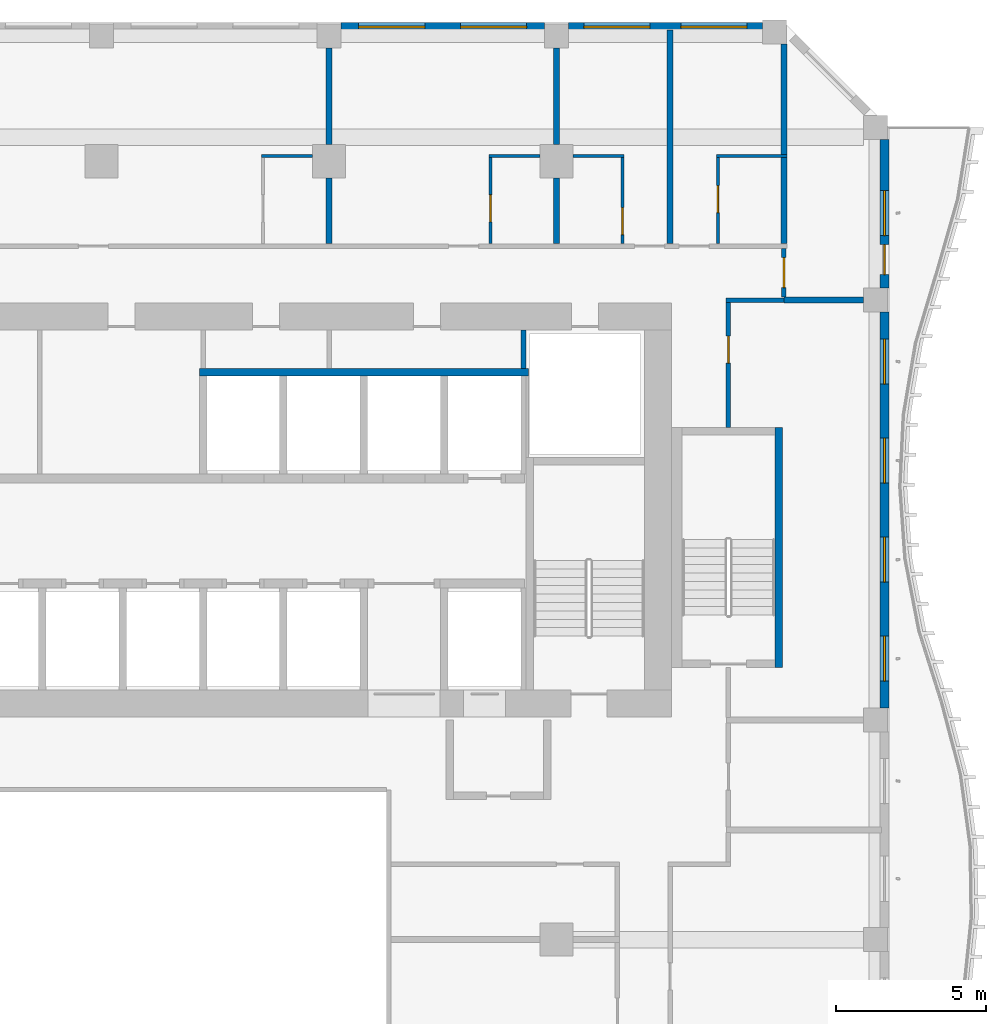
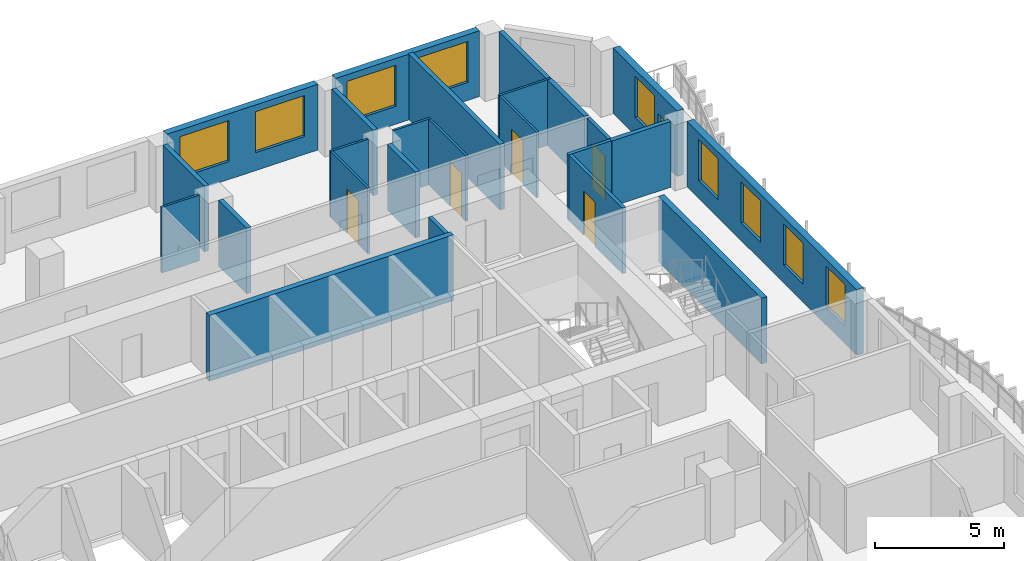
# One storey, part 9 of 20: 25 walls, 9 windows, 6 doors, 15 openings.
"""IFC4 building model written with IfcOpenShell, lengths in metres."""

from ifc_helpers import new_model, si_unit, direction, frame, frame_2d, origin, place, context, subcontext, project, spatial, rectangle, extrude, source, transform, mapped, material, layer, layer_set, type_object, element, fill, save


model = new_model("IFC4")

# Units and contexts
model_context = context("Model", 3, precision=1e-05, world=origin(), true_north=direction((0.0, 1.0)))
body_context = subcontext(model_context, "Body", "Model", "MODEL_VIEW")
ifc_project = project(units=[si_unit("LENGTHUNIT", "METRE"), si_unit("AREAUNIT", "SQUARE_METRE"), si_unit("VOLUMEUNIT", "CUBIC_METRE"), si_unit("PLANEANGLEUNIT", "RADIAN"), si_unit("MASSUNIT", "GRAM", prefix="KILO")], contexts=[model_context])

# Site, building, storey
site_placement = place(None, origin())
site = spatial("IfcSite", under=ifc_project, at=site_placement, CompositionType="ELEMENT")
building_placement = place(site_placement, origin())
building = spatial("IfcBuilding", under=site, at=building_placement, Name="Kilnfold Tower and Market Hall", CompositionType="ELEMENT")
storey_placement = place(building_placement, frame((0.0, 0.0, 157.5)))
storey = spatial("IfcBuildingStorey", under=building, at=storey_placement, Name="L36", CompositionType="ELEMENT", Elevation=157.5)

# Wall, opening, door
ifc_material_1 = material(Name="Gypsum board on steel studs", Category="steel")
ifc_layer_1 = layer(ifc_material_1, 0.14990234375)
ifc_layer_set_1 = layer_set([ifc_layer_1], Name="Gypsum board on steel studs")
wall_type_1 = type_object("IfcWallType", Name="WALL CORRIDOR 150", PredefinedType="PARTITIONING", material=ifc_layer_set_1)
wall_1_placement = place(storey_placement, frame((21.75, 22.10009765625, 0.0), z_axis=(0.0, 0.0, 1.0), x_axis=(0.0, 1.0, 0.0)))
wall_1 = element("IfcWall", 1, at=wall_1_placement, inside=storey, type_object=wall_type_1, Name="Partition LY23.22", PredefinedType="PARTITIONING", context=body_context, shape_type="SweptSolid", body=[
    extrude(rectangle(XDim=1.625, YDim=0.14990234375, at=frame_2d((0.8125, 0.0))), origin(), (0.0, 0.0, 1.0), 3.1201171875),
])
opening_1_placement = place(wall_1_placement, frame((0.31201171875, 0.0, 0.0)))
opening_1 = element("IfcOpeningElement", 2, at=opening_1_placement, cuts=wall_1, Name="Opening D4", PredefinedType="OPENING", context=body_context, shape_type="SweptSolid", body=[
    extrude(rectangle(XDim=1.0, YDim=2.10009765625, at=frame_2d((0.5, 1.050048828125))), frame((0.0, 0.0849609375, 0.0), z_axis=(0.0, -1.0, 0.0), x_axis=(1.0, 0.0, 0.0)), (0.0, 0.0, 1.0), 0.169921875),
])
ifc_material_2 = material(Name="Timber veneer door leaf in steel frame", Category="steel")
door_type_1 = type_object("IfcDoorType", Name="DOOR SERVICE 1000 X2100", OperationType="NOTDEFINED", PredefinedType="DOOR", material=ifc_material_2)
door_1_placement = place(opening_1_placement, origin())
door_1 = element("IfcDoor", 3, at=door_1_placement, inside=storey, type_object=door_type_1, Name="Door D4", OperationType="SINGLE_SWING_RIGHT", OverallHeight=2.10009765625, OverallWidth=1.0, PredefinedType="DOOR", context=body_context, shape_type="SweptSolid", body=[
    extrude(rectangle(XDim=1.0, YDim=2.10009765625, at=frame_2d((0.5, 1.050048828125))), frame((0.0, 0.02490234375, 0.0), z_axis=(0.0, -1.0, 0.0), x_axis=(1.0, 0.0, 0.0)), (0.0, 0.0, 1.0), 0.050048828125),
])
fill(opening_1, door_1)

# Wall
wall_2_placement = place(storey_placement, frame((19.824951171875, 22.0, 0.0), z_axis=(0.0, 0.0, 1.0), x_axis=(1.0, 0.0, 0.0)))
element("IfcWall", 4, at=wall_2_placement, inside=storey, type_object=wall_type_1, Name="Partition LY23.24", PredefinedType="PARTITIONING", context=body_context, shape_type="SweptSolid", body=[
    extrude(rectangle(XDim=1.925048828125, YDim=0.14990234375, at=frame_2d((0.96240234375, 0.0))), origin(), (0.0, 0.0, 1.0), 3.1201171875),
])

# Wall, opening, door
wall_3_placement = place(storey_placement, frame((19.89990234375, 17.75, 0.0), z_axis=(0.0, 0.0, 1.0), x_axis=(0.0, 1.0, 0.0)))
wall_3 = element("IfcWall", 5, at=wall_3_placement, inside=storey, type_object=wall_type_1, Name="Partition LY23.25", PredefinedType="PARTITIONING", context=body_context, shape_type="SweptSolid", body=[
    extrude(rectangle(XDim=4.175048828125, YDim=0.14990234375, at=frame_2d((2.08740234375, 0.0))), origin(), (0.0, 0.0, 1.0), 3.1201171875),
])
opening_2_placement = place(wall_3_placement, frame((2.15087890625, 0.0, 0.0)))
opening_2 = element("IfcOpeningElement", 6, at=opening_2_placement, cuts=wall_3, Name="Opening D2", PredefinedType="OPENING", context=body_context, shape_type="SweptSolid", body=[
    extrude(rectangle(XDim=0.89990234375, YDim=2.10009765625, at=frame_2d((0.449951171875, 1.050048828125))), frame((0.0, 0.0849609375, 0.0), z_axis=(0.0, -1.0, 0.0), x_axis=(1.0, 0.0, 0.0)), (0.0, 0.0, 1.0), 0.169921875),
])
ifc_material_3 = material(Name="Timber veneer door leaf in steel frame", Category="steel")
door_type_2 = type_object("IfcDoorType", Name="DOOR ROOM 900 X2100", OperationType="NOTDEFINED", PredefinedType="DOOR", material=ifc_material_3)
door_2_placement = place(opening_2_placement, origin())
door_2 = element("IfcDoor", 7, at=door_2_placement, inside=storey, type_object=door_type_2, Name="Door D2", OperationType="SINGLE_SWING_RIGHT", OverallHeight=2.10009765625, OverallWidth=0.89990234375, PredefinedType="DOOR", context=body_context, shape_type="SweptSolid", body=[
    extrude(rectangle(XDim=0.89990234375, YDim=2.10009765625, at=frame_2d((0.449951171875, 1.050048828125))), frame((0.0, 0.02490234375, 0.0), z_axis=(0.0, -1.0, 0.0), x_axis=(1.0, 0.0, 0.0)), (0.0, 0.0, 1.0), 0.050048828125),
])
fill(opening_2, door_2)

# Walls
ifc_material_4 = material(Name="Gypsum board on steel studs", Category="steel")
ifc_layer_2 = layer(ifc_material_4, 0.10009765625)
ifc_layer_set_2 = layer_set([ifc_layer_2], Name="Gypsum board on steel studs")
wall_type_2 = type_object("IfcWallType", Name="WALL PARTITION 100", PredefinedType="PARTITIONING", material=ifc_layer_set_2)
for number, where, z_axis, x_axis, name in (
    (8, (4.3330078125, 26.802001953125, 0.0), (0.0, 0.0, 1.0), (1.0, 0.0, 0.0), "Partition LY23.82"),
    (9, (11.9169921875, 26.802001953125, 0.0), (0.0, 0.0, 1.0), (1.0, 0.0, 0.0), "Partition LY23.86"),
):
    element("IfcWall", number, at=place(storey_placement, frame(where, z_axis=z_axis, x_axis=x_axis)), inside=storey, type_object=wall_type_2, Name=name, PredefinedType="PARTITIONING", context=body_context, shape_type="SweptSolid", body=[
        extrude(rectangle(XDim=1.699951171875, YDim=0.10009765625, at=frame_2d((0.85009765625, 0.0))), origin(), (0.0, 0.0, 1.0), 3.1201171875),
    ])

# Wall, opening, door
wall_4_placement = place(storey_placement, frame((11.967041015625, 23.876953125, 0.0), z_axis=(0.0, 0.0, 1.0), x_axis=(0.0, 1.0, 0.0)))
wall_4 = element("IfcWall", 10, at=wall_4_placement, inside=storey, type_object=wall_type_2, Name="Partition LY23.87", PredefinedType="PARTITIONING", context=body_context, shape_type="SweptSolid", body=[
    extrude(rectangle(XDim=2.875, YDim=0.10009765625, at=frame_2d((1.4375, 0.0))), origin(), (0.0, 0.0, 1.0), 3.1201171875),
])
opening_3_placement = place(wall_4_placement, frame((0.72509765625, 0.0, 0.0)))
opening_3 = element("IfcOpeningElement", 11, at=opening_3_placement, cuts=wall_4, Name="Opening D3", PredefinedType="OPENING", context=body_context, shape_type="SweptSolid", body=[
    extrude(rectangle(XDim=0.89990234375, YDim=2.10009765625, at=frame_2d((0.449951171875, 1.050048828125))), frame((0.0, 0.06005859375, 0.0), z_axis=(0.0, -1.0, 0.0), x_axis=(1.0, 0.0, 0.0)), (0.0, 0.0, 1.0), 0.1201171875),
])
ifc_material_5 = material(Name="Timber veneer door leaf in steel frame", Category="steel")
door_type_3 = type_object("IfcDoorType", Name="DOOR WC 900 X2100", OperationType="NOTDEFINED", PredefinedType="DOOR", material=ifc_material_5)
door_3_placement = place(opening_3_placement, origin())
door_3 = element("IfcDoor", 12, at=door_3_placement, inside=storey, type_object=door_type_3, Name="Door D3", OperationType="SINGLE_SWING_RIGHT", OverallHeight=2.10009765625, OverallWidth=0.89990234375, PredefinedType="DOOR", context=body_context, shape_type="SweptSolid", body=[
    extrude(rectangle(XDim=0.89990234375, YDim=2.10009765625, at=frame_2d((0.449951171875, 1.050048828125))), frame((0.0, 0.02490234375, 0.0), z_axis=(0.0, -1.0, 0.0), x_axis=(1.0, 0.0, 0.0)), (0.0, 0.0, 1.0), 0.050048828125),
])
fill(opening_3, door_3)

# Wall
wall_5_placement = place(storey_placement, frame((14.717041015625, 26.802001953125, 0.0), z_axis=(0.0, 0.0, 1.0), x_axis=(1.0, 0.0, 0.0)))
element("IfcWall", 13, at=wall_5_placement, inside=storey, type_object=wall_type_2, Name="Partition LY23.90", PredefinedType="PARTITIONING", context=body_context, shape_type="SweptSolid", body=[
    extrude(rectangle(XDim=1.699951171875, YDim=0.10009765625, at=frame_2d((0.85009765625, 0.0))), origin(), (0.0, 0.0, 1.0), 3.1201171875),
])

# Wall, opening, door
wall_6_placement = place(storey_placement, frame((16.366943359375, 26.751953125, 0.0), z_axis=(0.0, 0.0, 1.0), x_axis=(0.0, -1.0, 0.0)))
wall_6 = element("IfcWall", 14, at=wall_6_placement, inside=storey, type_object=wall_type_2, Name="Partition LY23.91", PredefinedType="PARTITIONING", context=body_context, shape_type="SweptSolid", body=[
    extrude(rectangle(XDim=2.875, YDim=0.10009765625, at=frame_2d((1.4375, 0.0))), origin(), (0.0, 0.0, 1.0), 3.1201171875),
])
opening_4_placement = place(wall_6_placement, frame((1.669921875, 0.0, 0.0)))
opening_4 = element("IfcOpeningElement", 15, at=opening_4_placement, cuts=wall_6, Name="Opening D3", PredefinedType="OPENING", context=body_context, shape_type="SweptSolid", body=[
    extrude(rectangle(XDim=0.89990234375, YDim=2.10009765625, at=frame_2d((0.449951171875, 1.050048828125))), frame((0.0, 0.06005859375, 0.0), z_axis=(0.0, -1.0, 0.0), x_axis=(1.0, 0.0, 0.0)), (0.0, 0.0, 1.0), 0.1201171875),
])
door_4_placement = place(opening_4_placement, origin())
door_4 = element("IfcDoor", 16, at=door_4_placement, inside=storey, type_object=door_type_3, Name="Door D3", OperationType="SINGLE_SWING_LEFT", OverallHeight=2.10009765625, OverallWidth=0.89990234375, PredefinedType="DOOR", context=body_context, shape_type="SweptSolid", body=[
    extrude(rectangle(XDim=0.89990234375, YDim=2.10009765625, at=frame_2d((0.449951171875, 1.050048828125))), frame((0.0, 0.02490234375, 0.0), z_axis=(0.0, -1.0, 0.0), x_axis=(1.0, 0.0, 0.0)), (0.0, 0.0, 1.0), 0.050048828125),
])
fill(opening_4, door_4)

# Wall
wall_7_placement = place(storey_placement, frame((19.5, 26.802001953125, 0.0), z_axis=(0.0, 0.0, 1.0), x_axis=(1.0, 0.0, 0.0)))
element("IfcWall", 17, at=wall_7_placement, inside=storey, type_object=wall_type_2, Name="Partition LY23.93", PredefinedType="PARTITIONING", context=body_context, shape_type="SweptSolid", body=[
    extrude(rectangle(XDim=2.35009765625, YDim=0.10009765625, at=frame_2d((1.175048828125, 0.0))), origin(), (0.0, 0.0, 1.0), 3.1201171875),
])

# Wall, opening, door
wall_8_placement = place(storey_placement, frame((19.550048828125, 23.876953125, 0.0), z_axis=(0.0, 0.0, 1.0), x_axis=(0.0, 1.0, 0.0)))
wall_8 = element("IfcWall", 18, at=wall_8_placement, inside=storey, type_object=wall_type_2, Name="Partition LY23.94", PredefinedType="PARTITIONING", context=body_context, shape_type="SweptSolid", body=[
    extrude(rectangle(XDim=2.875, YDim=0.10009765625, at=frame_2d((1.4375, 0.0))), origin(), (0.0, 0.0, 1.0), 3.1201171875),
])
opening_5_placement = place(wall_8_placement, frame((1.0400390625, 0.0, 0.0)))
opening_5 = element("IfcOpeningElement", 19, at=opening_5_placement, cuts=wall_8, Name="Opening D3", PredefinedType="OPENING", context=body_context, shape_type="SweptSolid", body=[
    extrude(rectangle(XDim=0.89990234375, YDim=2.10009765625, at=frame_2d((0.449951171875, 1.050048828125))), frame((0.0, 0.06005859375, 0.0), z_axis=(0.0, -1.0, 0.0), x_axis=(1.0, 0.0, 0.0)), (0.0, 0.0, 1.0), 0.1201171875),
])
door_5_placement = place(opening_5_placement, origin())
door_5 = element("IfcDoor", 20, at=door_5_placement, inside=storey, type_object=door_type_3, Name="Door D3", OperationType="SINGLE_SWING_LEFT", OverallHeight=2.10009765625, OverallWidth=0.89990234375, PredefinedType="DOOR", context=body_context, shape_type="SweptSolid", body=[
    extrude(rectangle(XDim=0.89990234375, YDim=2.10009765625, at=frame_2d((0.449951171875, 1.050048828125))), frame((0.0, 0.02490234375, 0.0), z_axis=(0.0, -1.0, 0.0), x_axis=(1.0, 0.0, 0.0)), (0.0, 0.0, 1.0), 0.050048828125),
])
fill(opening_5, door_5)

# Walls
ifc_material_6 = material(Name="Gypsum board on steel studs", Category="steel")
ifc_layer_3 = layer(ifc_material_6, 0.199951171875)
ifc_layer_set_3 = layer_set([ifc_layer_3], Name="Gypsum board on steel studs")
wall_type_3 = type_object("IfcWallType", Name="WALL PARTY 200", PredefinedType="PARTITIONING", material=ifc_layer_set_3)
wall_9_placement = place(storey_placement, frame((6.5830078125, 27.175048828125, 0.0), z_axis=(0.0, 0.0, 1.0), x_axis=(0.0, 1.0, 0.0)))
element("IfcWall", 21, at=wall_9_placement, inside=storey, type_object=wall_type_3, Name="Partition LY23.84", PredefinedType="PARTITIONING", context=body_context, shape_type="SweptSolid", body=[
    extrude(rectangle(XDim=3.224853515625, YDim=0.199951171875, at=frame_2d((1.6123046875, 0.0))), origin(), (0.0, 0.0, 1.0), 3.1201171875),
])
wall_10_placement = place(storey_placement, frame((6.5830078125, 23.876953125, 0.0), z_axis=(0.0, 0.0, 1.0), x_axis=(0.0, 1.0, 0.0)))
element("IfcWall", 22, at=wall_10_placement, inside=storey, type_object=wall_type_3, Name="Partition LY23.85", PredefinedType="PARTITIONING", context=body_context, shape_type="SweptSolid", body=[
    extrude(rectangle(XDim=2.197998046875, YDim=0.199951171875, at=frame_2d((1.09912109375, 0.0))), origin(), (0.0, 0.0, 1.0), 3.1201171875),
])
wall_11_placement = place(storey_placement, frame((14.1669921875, 27.175048828125, 0.0), z_axis=(0.0, 0.0, 1.0), x_axis=(0.0, 1.0, 0.0)))
element("IfcWall", 23, at=wall_11_placement, inside=storey, type_object=wall_type_3, Name="Partition LY23.88", PredefinedType="PARTITIONING", context=body_context, shape_type="SweptSolid", body=[
    extrude(rectangle(XDim=3.224853515625, YDim=0.199951171875, at=frame_2d((1.6123046875, 0.0))), origin(), (0.0, 0.0, 1.0), 3.1201171875),
])
wall_12_placement = place(storey_placement, frame((14.1669921875, 23.876953125, 0.0), z_axis=(0.0, 0.0, 1.0), x_axis=(0.0, 1.0, 0.0)))
element("IfcWall", 24, at=wall_12_placement, inside=storey, type_object=wall_type_3, Name="Partition LY23.89", PredefinedType="PARTITIONING", context=body_context, shape_type="SweptSolid", body=[
    extrude(rectangle(XDim=2.197998046875, YDim=0.199951171875, at=frame_2d((1.09912109375, 0.0))), origin(), (0.0, 0.0, 1.0), 3.1201171875),
])
wall_13_placement = place(storey_placement, frame((17.958984375, 23.876953125, 0.0), z_axis=(0.0, 0.0, 1.0), x_axis=(0.0, 1.0, 0.0)))
element("IfcWall", 25, at=wall_13_placement, inside=storey, type_object=wall_type_3, Name="Partition LY23.92", PredefinedType="PARTITIONING", context=body_context, shape_type="SweptSolid", body=[
    extrude(rectangle(XDim=7.123046875, YDim=0.199951171875, at=frame_2d((3.5615234375, 0.0))), origin(), (0.0, 0.0, 1.0), 3.1201171875),
])
wall_14_placement = place(storey_placement, frame((21.75, 26.85205078125, 0.0), z_axis=(0.0, 0.0, 1.0), x_axis=(0.0, 1.0, 0.0)))
element("IfcWall", 26, at=wall_14_placement, inside=storey, type_object=wall_type_3, Name="Partition LY23.95", PredefinedType="PARTITIONING", context=body_context, shape_type="SweptSolid", body=[
    extrude(rectangle(XDim=3.679931640625, YDim=0.199951171875, at=frame_2d((1.83984375, 0.0))), origin(), (0.0, 0.0, 1.0), 3.1201171875),
])
wall_15_placement = place(storey_placement, frame((21.75, 23.876953125, 0.0), z_axis=(0.0, 0.0, 1.0), x_axis=(0.0, 1.0, 0.0)))
element("IfcWall", 27, at=wall_15_placement, inside=storey, type_object=wall_type_3, Name="Partition LY23.96", PredefinedType="PARTITIONING", context=body_context, shape_type="SweptSolid", body=[
    extrude(rectangle(XDim=2.875, YDim=0.199951171875, at=frame_2d((1.4375, 0.0))), origin(), (0.0, 0.0, 1.0), 3.1201171875),
])
wall_16_placement = place(storey_placement, frame((21.751953125, 22.0, 0.0), z_axis=(0.0, 0.0, 1.0), x_axis=(1.0, 0.0, 0.0)))
element("IfcWall", 28, at=wall_16_placement, inside=storey, type_object=wall_type_3, Name="Partition LY23.97", PredefinedType="PARTITIONING", context=body_context, shape_type="SweptSolid", body=[
    extrude(rectangle(XDim=2.64794921875, YDim=0.199951171875, at=frame_2d((1.323974609375, 0.0))), origin(), (0.0, 0.0, 1.0), 3.1201171875),
])
ifc_material_7 = material(Name="Concrete C70", Category="concrete")
ifc_layer_4 = layer(ifc_material_7, 0.25)
ifc_layer_set_4 = layer_set([ifc_layer_4], Name="Concrete C70")
wall_type_4 = type_object("IfcWallType", Name="CORE WALL 250 C70", PredefinedType="SHEAR", material=ifc_layer_set_4)
shared_shape_1 = source(origin(), body_context, "Body", "SweptSolid", [
    extrude(rectangle(XDim=8.0, YDim=0.25, at=frame_2d((4.0, 0.0))), origin(), (0.0, 0.0, 1.0), 3.1201171875),
])
wall_17_placement = place(storey_placement, frame((21.574951171875, 9.75, 0.0), z_axis=(0.0, 0.0, 1.0), x_axis=(0.0, 1.0, 0.0)))
element("IfcWall", 29, at=wall_17_placement, inside=storey, type_object=wall_type_4, Name="Stair enclosure ST5", PredefinedType="SHEAR", context=body_context, shape_type="MappedRepresentation", body=[
    mapped(shared_shape_1, transform((0.0, 0.0, 0.0))),
])

# Wall, openings, windows
ifc_material_8 = material(Name="Precast concrete C50/60", Category="concrete")
ifc_layer_5 = layer(ifc_material_8, 0.300048828125)
ifc_layer_set_5 = layer_set([ifc_layer_5], Name="Precast concrete C50/60")
wall_type_5 = type_object("IfcWallType", Name="PRECAST WALL 300", PredefinedType="SOLIDWALL", material=ifc_layer_set_5)
shared_shape_2 = source(origin(), body_context, "Body", "SweptSolid", [
    extrude(rectangle(XDim=6.783203125, YDim=0.300048828125, at=frame_2d((3.3916015625, 0.0))), origin(), (0.0, 0.0, 1.0), 3.1201171875),
])
wall_18_placement = place(storey_placement, frame((13.7666015625, 31.10009765625, 0.0), z_axis=(0.0, 0.0, 1.0), x_axis=(-1.0, 0.0, 0.0)))
wall_18 = element("IfcWall", 30, at=wall_18_placement, inside=storey, type_object=wall_type_5, Name="External wall L36 N", PredefinedType="SOLIDWALL", context=body_context, shape_type="MappedRepresentation", body=[
    mapped(shared_shape_2, transform((0.0, 0.0, 0.0))),
])
opening_6_placement = place(wall_18_placement, frame((0.595703125, 0.0, 0.85009765625)))
opening_6 = element("IfcOpeningElement", 31, at=opening_6_placement, cuts=wall_18, Name="Opening W2", PredefinedType="OPENING", context=body_context, shape_type="SweptSolid", body=[
    extrude(rectangle(XDim=2.199951171875, YDim=1.949951171875, at=frame_2d((1.10009765625, 0.97509765625))), frame((0.0, 0.16015625, 0.0), z_axis=(0.0, -1.0, 0.0), x_axis=(1.0, 0.0, 0.0)), (0.0, 0.0, 1.0), 0.320068359375),
])
opening_7_placement = place(wall_18_placement, frame((3.987548828125, 0.0, 0.85009765625)))
opening_7 = element("IfcOpeningElement", 32, at=opening_7_placement, cuts=wall_18, Name="Opening W2", PredefinedType="OPENING", context=body_context, shape_type="SweptSolid", body=[
    extrude(rectangle(XDim=2.199951171875, YDim=1.949951171875, at=frame_2d((1.10009765625, 0.97509765625))), frame((0.0, 0.16015625, 0.0), z_axis=(0.0, -1.0, 0.0), x_axis=(1.0, 0.0, 0.0)), (0.0, 0.0, 1.0), 0.320068359375),
])
ifc_material_9 = material(Name="Aluminium frame and double glazing", Category="aluminium")
window_type_1 = type_object("IfcWindowType", Name="WINDOW W2 2200X1950", PartitioningType="SINGLE_PANEL", PredefinedType="WINDOW", material=ifc_material_9)
window_1_placement = place(opening_6_placement, origin())
window_1 = element("IfcWindow", 33, at=window_1_placement, inside=storey, type_object=window_type_1, Name="Window W2 L36 N-1", OverallHeight=1.949951171875, OverallWidth=2.199951171875, PartitioningType="SINGLE_PANEL", PredefinedType="WINDOW", context=body_context, shape_type="SweptSolid", body=[
    extrude(rectangle(XDim=2.199951171875, YDim=1.949951171875, at=frame_2d((1.10009765625, 0.97509765625))), frame((0.0, 0.030029296875, 0.0), z_axis=(0.0, -1.0, 0.0), x_axis=(1.0, 0.0, 0.0)), (0.0, 0.0, 1.0), 0.06005859375),
])
fill(opening_6, window_1)
window_2_placement = place(opening_7_placement, origin())
window_2 = element("IfcWindow", 34, at=window_2_placement, inside=storey, type_object=window_type_1, Name="Window W2 L36 N-2", OverallHeight=1.949951171875, OverallWidth=2.199951171875, PartitioningType="SINGLE_PANEL", PredefinedType="WINDOW", context=body_context, shape_type="SweptSolid", body=[
    extrude(rectangle(XDim=2.199951171875, YDim=1.949951171875, at=frame_2d((1.10009765625, 0.97509765625))), frame((0.0, 0.030029296875, 0.0), z_axis=(0.0, -1.0, 0.0), x_axis=(1.0, 0.0, 0.0)), (0.0, 0.0, 1.0), 0.06005859375),
])
fill(opening_7, window_2)

shared_shape_3 = source(origin(), body_context, "Body", "SweptSolid", [
    extrude(rectangle(XDim=13.2001953125, YDim=0.300048828125, at=frame_2d((6.60009765625, 0.0))), origin(), (0.0, 0.0, 1.0), 3.1201171875),
])
wall_19_placement = place(storey_placement, frame((25.10009765625, 8.39990234375, 0.0), z_axis=(0.0, 0.0, 1.0), x_axis=(0.0, 1.0, 0.0)))
wall_19 = element("IfcWall", 35, at=wall_19_placement, inside=storey, type_object=wall_type_5, Name="External wall L36 E", PredefinedType="SOLIDWALL", context=body_context, shape_type="MappedRepresentation", body=[
    mapped(shared_shape_3, transform((0.0, 0.0, 0.0))),
])
opening_8_placement = place(wall_19_placement, frame((0.89990234375, 0.0, 0.85009765625)))
opening_8 = element("IfcOpeningElement", 36, at=opening_8_placement, cuts=wall_19, Name="Opening W4", PredefinedType="OPENING", context=body_context, shape_type="SweptSolid", body=[
    extrude(rectangle(XDim=1.5, YDim=1.949951171875, at=frame_2d((0.75, 0.97509765625))), frame((0.0, 0.16015625, 0.0), z_axis=(0.0, -1.0, 0.0), x_axis=(1.0, 0.0, 0.0)), (0.0, 0.0, 1.0), 0.320068359375),
])
opening_9_placement = place(wall_19_placement, frame((4.199951171875, 0.0, 0.85009765625)))
opening_9 = element("IfcOpeningElement", 37, at=opening_9_placement, cuts=wall_19, Name="Opening W4", PredefinedType="OPENING", context=body_context, shape_type="SweptSolid", body=[
    extrude(rectangle(XDim=1.5, YDim=1.949951171875, at=frame_2d((0.75, 0.97509765625))), frame((0.0, 0.16015625, 0.0), z_axis=(0.0, -1.0, 0.0), x_axis=(1.0, 0.0, 0.0)), (0.0, 0.0, 1.0), 0.320068359375),
])
opening_10_placement = place(wall_19_placement, frame((7.5, 0.0, 0.85009765625)))
opening_10 = element("IfcOpeningElement", 38, at=opening_10_placement, cuts=wall_19, Name="Opening W4", PredefinedType="OPENING", context=body_context, shape_type="SweptSolid", body=[
    extrude(rectangle(XDim=1.5, YDim=1.949951171875, at=frame_2d((0.75, 0.97509765625))), frame((0.0, 0.16015625, 0.0), z_axis=(0.0, -1.0, 0.0), x_axis=(1.0, 0.0, 0.0)), (0.0, 0.0, 1.0), 0.320068359375),
])
opening_11_placement = place(wall_19_placement, frame((10.800048828125, 0.0, 0.85009765625)))
opening_11 = element("IfcOpeningElement", 39, at=opening_11_placement, cuts=wall_19, Name="Opening W4", PredefinedType="OPENING", context=body_context, shape_type="SweptSolid", body=[
    extrude(rectangle(XDim=1.5, YDim=1.949951171875, at=frame_2d((0.75, 0.97509765625))), frame((0.0, 0.16015625, 0.0), z_axis=(0.0, -1.0, 0.0), x_axis=(1.0, 0.0, 0.0)), (0.0, 0.0, 1.0), 0.320068359375),
])
ifc_material_10 = material(Name="Aluminium frame and double glazing", Category="aluminium")
window_type_2 = type_object("IfcWindowType", Name="WINDOW W4 1500X1950", PartitioningType="SINGLE_PANEL", PredefinedType="WINDOW", material=ifc_material_10)
window_3_placement = place(opening_8_placement, origin())
window_3 = element("IfcWindow", 40, at=window_3_placement, inside=storey, type_object=window_type_2, Name="Window W4 L36 E-1", OverallHeight=1.949951171875, OverallWidth=1.5, PartitioningType="SINGLE_PANEL", PredefinedType="WINDOW", context=body_context, shape_type="SweptSolid", body=[
    extrude(rectangle(XDim=1.5, YDim=1.949951171875, at=frame_2d((0.75, 0.97509765625))), frame((0.0, 0.030029296875, 0.0), z_axis=(0.0, -1.0, 0.0), x_axis=(1.0, 0.0, 0.0)), (0.0, 0.0, 1.0), 0.06005859375),
])
fill(opening_8, window_3)
window_4_placement = place(opening_9_placement, origin())
window_4 = element("IfcWindow", 41, at=window_4_placement, inside=storey, type_object=window_type_2, Name="Window W4 L36 E-2", OverallHeight=1.949951171875, OverallWidth=1.5, PartitioningType="SINGLE_PANEL", PredefinedType="WINDOW", context=body_context, shape_type="SweptSolid", body=[
    extrude(rectangle(XDim=1.5, YDim=1.949951171875, at=frame_2d((0.75, 0.97509765625))), frame((0.0, 0.030029296875, 0.0), z_axis=(0.0, -1.0, 0.0), x_axis=(1.0, 0.0, 0.0)), (0.0, 0.0, 1.0), 0.06005859375),
])
fill(opening_9, window_4)
window_5_placement = place(opening_10_placement, origin())
window_5 = element("IfcWindow", 42, at=window_5_placement, inside=storey, type_object=window_type_2, Name="Window W4 L36 E-3", OverallHeight=1.949951171875, OverallWidth=1.5, PartitioningType="SINGLE_PANEL", PredefinedType="WINDOW", context=body_context, shape_type="SweptSolid", body=[
    extrude(rectangle(XDim=1.5, YDim=1.949951171875, at=frame_2d((0.75, 0.97509765625))), frame((0.0, 0.030029296875, 0.0), z_axis=(0.0, -1.0, 0.0), x_axis=(1.0, 0.0, 0.0)), (0.0, 0.0, 1.0), 0.06005859375),
])
fill(opening_10, window_5)
window_6_placement = place(opening_11_placement, origin())
window_6 = element("IfcWindow", 43, at=window_6_placement, inside=storey, type_object=window_type_2, Name="Window W4 L36 E-4", OverallHeight=1.949951171875, OverallWidth=1.5, PartitioningType="SINGLE_PANEL", PredefinedType="WINDOW", context=body_context, shape_type="SweptSolid", body=[
    extrude(rectangle(XDim=1.5, YDim=1.949951171875, at=frame_2d((0.75, 0.97509765625))), frame((0.0, 0.030029296875, 0.0), z_axis=(0.0, -1.0, 0.0), x_axis=(1.0, 0.0, 0.0)), (0.0, 0.0, 1.0), 0.06005859375),
])
fill(opening_11, window_6)

# Wall, openings, door, window
shared_shape_4 = source(origin(), body_context, "Body", "SweptSolid", [
    extrude(rectangle(XDim=4.9501953125, YDim=0.300048828125, at=frame_2d((2.47509765625, 0.0))), origin(), (0.0, 0.0, 1.0), 3.1201171875),
])
wall_20_placement = place(storey_placement, frame((25.10009765625, 22.39990234375, 0.0), z_axis=(0.0, 0.0, 1.0), x_axis=(0.0, 1.0, 0.0)))
wall_20 = element("IfcWall", 44, at=wall_20_placement, inside=storey, type_object=wall_type_5, Name="External wall L36 E", PredefinedType="SOLIDWALL", context=body_context, shape_type="MappedRepresentation", body=[
    mapped(shared_shape_4, transform((0.0, 0.0, 0.0))),
])
opening_12_placement = place(wall_20_placement, frame((1.75, 0.0, 0.85009765625)))
opening_12 = element("IfcOpeningElement", 45, at=opening_12_placement, cuts=wall_20, Name="Opening W4", PredefinedType="OPENING", context=body_context, shape_type="SweptSolid", body=[
    extrude(rectangle(XDim=1.5, YDim=1.949951171875, at=frame_2d((0.75, 0.97509765625))), frame((0.0, 0.16015625, 0.0), z_axis=(0.0, -1.0, 0.0), x_axis=(1.0, 0.0, 0.0)), (0.0, 0.0, 1.0), 0.320068359375),
])
opening_13_placement = place(wall_20_placement, frame((0.449951171875, 0.0, 0.0)))
opening_13 = element("IfcOpeningElement", 46, at=opening_13_placement, cuts=wall_20, Name="Opening BD1", PredefinedType="OPENING", context=body_context, shape_type="SweptSolid", body=[
    extrude(rectangle(XDim=1.0, YDim=2.10009765625, at=frame_2d((0.5, 1.050048828125))), frame((0.0, 0.16015625, 0.0), z_axis=(0.0, -1.0, 0.0), x_axis=(1.0, 0.0, 0.0)), (0.0, 0.0, 1.0), 0.320068359375),
])
ifc_material_11 = material(Name="Aluminium frame and double glazing", Category="aluminium")
door_type_4 = type_object("IfcDoorType", Name="BALCONY DOOR 1000X2100", OperationType="NOTDEFINED", PredefinedType="DOOR", material=ifc_material_11)
door_6_placement = place(opening_13_placement, origin())
door_6 = element("IfcDoor", 47, at=door_6_placement, inside=storey, type_object=door_type_4, Name="Balcony door BD1 L36 E-1", OperationType="SINGLE_SWING_LEFT", OverallHeight=2.10009765625, OverallWidth=1.0, PredefinedType="DOOR", context=body_context, shape_type="SweptSolid", body=[
    extrude(rectangle(XDim=1.0, YDim=2.10009765625, at=frame_2d((0.5, 1.050048828125))), frame((0.0, 0.02490234375, 0.0), z_axis=(0.0, -1.0, 0.0), x_axis=(1.0, 0.0, 0.0)), (0.0, 0.0, 1.0), 0.050048828125),
])
fill(opening_13, door_6)
window_7_placement = place(opening_12_placement, origin())
window_7 = element("IfcWindow", 48, at=window_7_placement, inside=storey, type_object=window_type_2, Name="Window W4 L36 E-1", OverallHeight=1.949951171875, OverallWidth=1.5, PartitioningType="SINGLE_PANEL", PredefinedType="WINDOW", context=body_context, shape_type="SweptSolid", body=[
    extrude(rectangle(XDim=1.5, YDim=1.949951171875, at=frame_2d((0.75, 0.97509765625))), frame((0.0, 0.030029296875, 0.0), z_axis=(0.0, -1.0, 0.0), x_axis=(1.0, 0.0, 0.0)), (0.0, 0.0, 1.0), 0.06005859375),
])
fill(opening_12, window_7)

# Wall, openings, windows
shared_shape_5 = source(origin(), body_context, "Body", "SweptSolid", [
    extrude(rectangle(XDim=6.465087890625, YDim=0.300048828125, at=frame_2d((3.232421875, 0.0))), origin(), (0.0, 0.0, 1.0), 3.1201171875),
])
wall_21_placement = place(storey_placement, frame((21.03173828125, 31.10009765625, 0.0), z_axis=(0.0, 0.0, 1.0), x_axis=(-1.0, 0.0, 0.0)))
wall_21 = element("IfcWall", 49, at=wall_21_placement, inside=storey, type_object=wall_type_5, Name="External wall L36 N", PredefinedType="SOLIDWALL", context=body_context, shape_type="MappedRepresentation", body=[
    mapped(shared_shape_5, transform((0.0, 0.0, 0.0))),
])
opening_14_placement = place(wall_21_placement, frame((0.51611328125, 0.0, 0.85009765625)))
opening_14 = element("IfcOpeningElement", 50, at=opening_14_placement, cuts=wall_21, Name="Opening W2", PredefinedType="OPENING", context=body_context, shape_type="SweptSolid", body=[
    extrude(rectangle(XDim=2.199951171875, YDim=1.949951171875, at=frame_2d((1.10009765625, 0.97509765625))), frame((0.0, 0.16015625, 0.0), z_axis=(0.0, -1.0, 0.0), x_axis=(1.0, 0.0, 0.0)), (0.0, 0.0, 1.0), 0.320068359375),
])
opening_15_placement = place(wall_21_placement, frame((3.748779296875, 0.0, 0.85009765625)))
opening_15 = element("IfcOpeningElement", 51, at=opening_15_placement, cuts=wall_21, Name="Opening W2", PredefinedType="OPENING", context=body_context, shape_type="SweptSolid", body=[
    extrude(rectangle(XDim=2.199951171875, YDim=1.949951171875, at=frame_2d((1.10009765625, 0.97509765625))), frame((0.0, 0.16015625, 0.0), z_axis=(0.0, -1.0, 0.0), x_axis=(1.0, 0.0, 0.0)), (0.0, 0.0, 1.0), 0.320068359375),
])
window_8_placement = place(opening_14_placement, origin())
window_8 = element("IfcWindow", 52, at=window_8_placement, inside=storey, type_object=window_type_1, Name="Window W2 L36 N-1", OverallHeight=1.949951171875, OverallWidth=2.199951171875, PartitioningType="SINGLE_PANEL", PredefinedType="WINDOW", context=body_context, shape_type="SweptSolid", body=[
    extrude(rectangle(XDim=2.199951171875, YDim=1.949951171875, at=frame_2d((1.10009765625, 0.97509765625))), frame((0.0, 0.030029296875, 0.0), z_axis=(0.0, -1.0, 0.0), x_axis=(1.0, 0.0, 0.0)), (0.0, 0.0, 1.0), 0.06005859375),
])
fill(opening_14, window_8)
window_9_placement = place(opening_15_placement, origin())
window_9 = element("IfcWindow", 53, at=window_9_placement, inside=storey, type_object=window_type_1, Name="Window W2 L36 N-2", OverallHeight=1.949951171875, OverallWidth=2.199951171875, PartitioningType="SINGLE_PANEL", PredefinedType="WINDOW", context=body_context, shape_type="SweptSolid", body=[
    extrude(rectangle(XDim=2.199951171875, YDim=1.949951171875, at=frame_2d((1.10009765625, 0.97509765625))), frame((0.0, 0.030029296875, 0.0), z_axis=(0.0, -1.0, 0.0), x_axis=(1.0, 0.0, 0.0)), (0.0, 0.0, 1.0), 0.06005859375),
])
fill(opening_15, window_9)

# Walls
ifc_material_12 = material(Name="Gypsum shaft wall system")
ifc_layer_6 = layer(ifc_material_12, 0.1650390625)
ifc_layer_set_6 = layer_set([ifc_layer_6], Name="Gypsum shaft wall system")
wall_type_6 = type_object("IfcWallType", Name="SHAFT WALL 165", PredefinedType="PARTITIONING", material=ifc_layer_set_6)
shared_shape_6 = source(origin(), body_context, "Body", "SweptSolid", [
    extrude(rectangle(XDim=1.27490234375, YDim=0.1650390625, at=frame_2d((0.637451171875, 0.0))), origin(), (0.0, 0.0, 1.0), 3.1201171875),
])
wall_22_placement = place(storey_placement, frame((13.0673828125, 19.72509765625, 0.0), z_axis=(0.0, 0.0, 1.0), x_axis=(0.0, 1.0, 0.0)))
element("IfcWall", 54, at=wall_22_placement, inside=storey, type_object=wall_type_6, Name="Lift shaft wall", PredefinedType="PARTITIONING", context=body_context, shape_type="MappedRepresentation", body=[
    mapped(shared_shape_6, transform((0.0, 0.0, 0.0))),
])
ifc_material_13 = material(Name="Gypsum shaft wall system")
ifc_layer_7 = layer(ifc_material_13, 0.25)
ifc_layer_set_7 = layer_set([ifc_layer_7], Name="Gypsum shaft wall system")
wall_type_7 = type_object("IfcWallType", Name="SHAFT WALL 250", PredefinedType="PARTITIONING", material=ifc_layer_set_7)
shared_shape_7 = source(origin(), body_context, "Body", "SweptSolid", [
    extrude(rectangle(XDim=10.97021484375, YDim=0.25, at=frame_2d((5.485107421875, 0.0))), origin(), (0.0, 0.0, 1.0), 3.1201171875),
])
wall_23_placement = place(storey_placement, frame((2.264892578125, 19.60009765625, 0.0), z_axis=(0.0, 0.0, 1.0), x_axis=(1.0, 0.0, 0.0)))
element("IfcWall", 55, at=wall_23_placement, inside=storey, type_object=wall_type_7, Name="Lift shaft wall", PredefinedType="PARTITIONING", context=body_context, shape_type="MappedRepresentation", body=[
    mapped(shared_shape_7, transform((0.0, 0.0, 0.0))),
])

save(model, "model.ifc")
